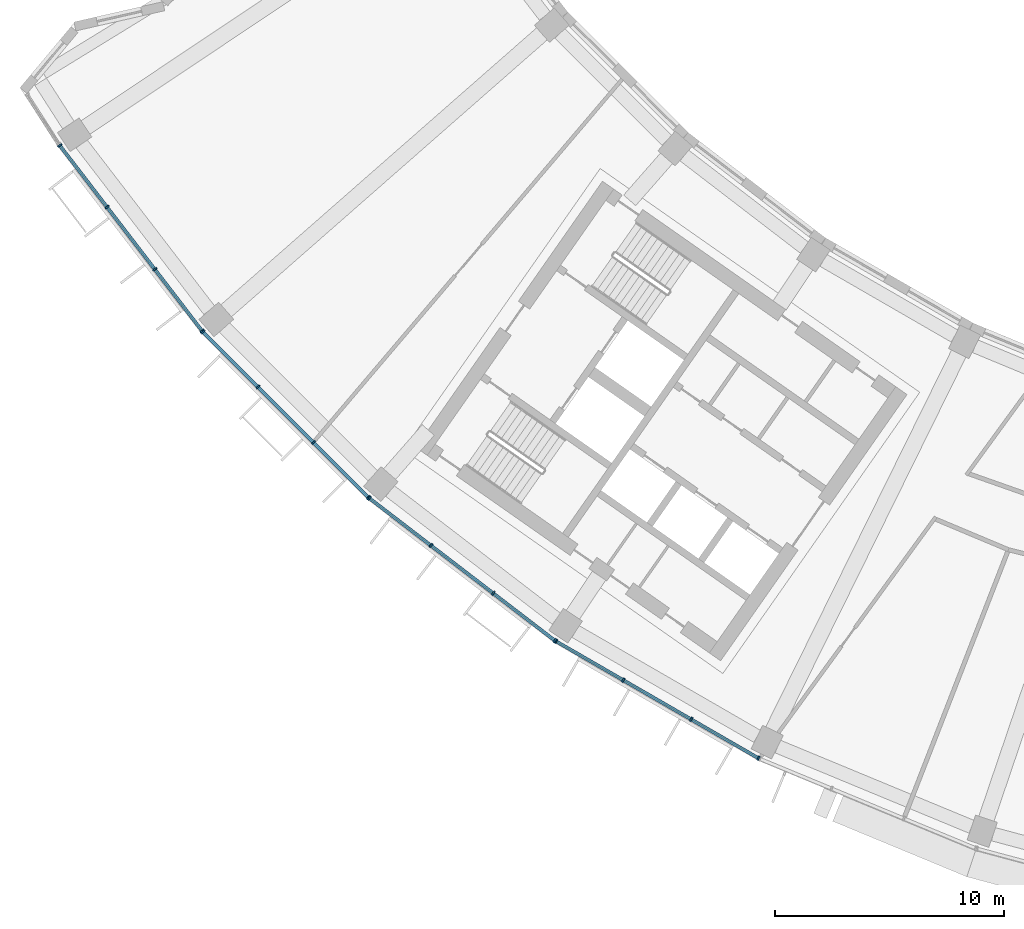
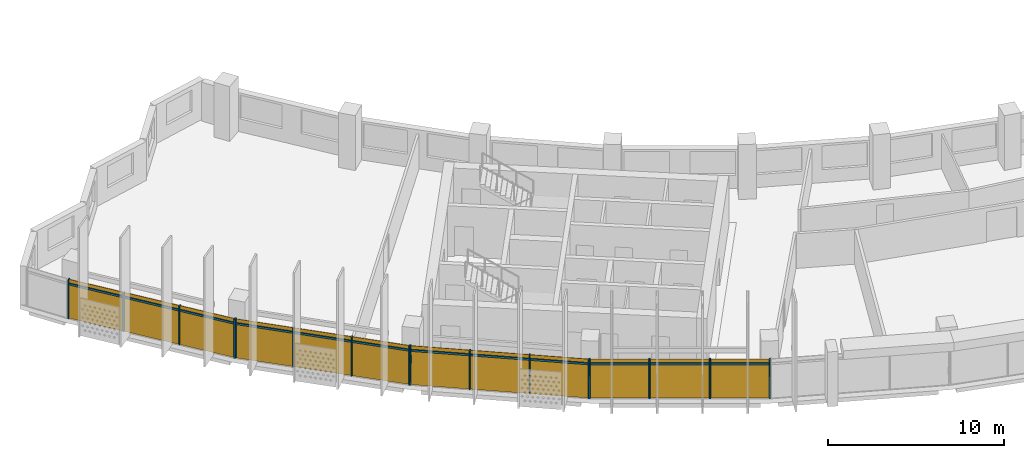
# One storey, part 18 of 28: 28 members, 4 curtain walls.
"""IFC4 building model written with IfcOpenShell, lengths in metres."""

from ifc_helpers import new_model, si_unit, direction, frame, origin, origin_2d, place, context, subcontext, project, spatial, rectangle, extrude, material, material_profile, profile_set, type_object, element, aggregate, save


model = new_model("IFC4")

# Units and contexts
model_context = context("Model", 3, precision=1e-05, world=origin(), true_north=direction((0.0, 1.0)))
body_context = subcontext(model_context, "Body", "Model", "MODEL_VIEW")
ifc_project = project(units=[si_unit("LENGTHUNIT", "METRE"), si_unit("AREAUNIT", "SQUARE_METRE"), si_unit("VOLUMEUNIT", "CUBIC_METRE"), si_unit("PLANEANGLEUNIT", "RADIAN"), si_unit("MASSUNIT", "GRAM", prefix="KILO")], contexts=[model_context])

# Member
ifc_material = material(Name="Aluminium 6063-T6 anodised", Category="aluminium")
ifc_material_profile_1 = material_profile(ifc_material, rectangle(XDim=0.199951171875, YDim=0.070068359375, at=origin_2d()))
ifc_profile_set_1 = profile_set([ifc_material_profile_1], Name="Aluminium 6063-T6 anodised")
member_type_1 = type_object("IfcMemberType", Name="Mullion 70 x 200 aluminium", PredefinedType="MULLION", material=ifc_profile_set_1)
site_placement = place(None, origin())
building_placement = place(site_placement, origin())
storey_placement = place(building_placement, frame((0.0, 0.0, 234.10009765625)))
member_1_placement = place(storey_placement, frame((-65.29443359375, -43.66259765625, 0.0), z_axis=(0.0, 0.0, 1.0), x_axis=(0.793353340291, 0.608761429009, 0.0)))
member_1 = element("IfcMember", 1, at=member_1_placement, type_object=member_type_1, Name="e-cw1-L56-out01/M00", PredefinedType="MULLION", context=body_context, shape_type="SweptSolid", body=[
    extrude(rectangle(XDim=0.199951171875, YDim=0.070068359375, at=origin_2d()), origin(), (0.0, 0.0, 1.0), 2.699951171875),
])

member_2_placement = place(storey_placement, frame((-63.22802734375, -46.35546875, 0.0), z_axis=(0.0, 0.0, 1.0), x_axis=(0.793353340291, 0.608761429009, 0.0)))
member_2 = element("IfcMember", 2, at=member_2_placement, type_object=member_type_1, Name="e-cw1-L56-out01/M01", PredefinedType="MULLION", context=body_context, shape_type="SweptSolid", body=[
    extrude(rectangle(XDim=0.199951171875, YDim=0.070068359375, at=origin_2d()), origin(), (0.0, 0.0, 1.0), 2.699951171875),
])

member_3_placement = place(storey_placement, frame((-61.140380859375, -49.075927734375, 0.0), z_axis=(0.0, 0.0, 1.0), x_axis=(0.793353340291, 0.608761429009, 0.0)))
member_3 = element("IfcMember", 3, at=member_3_placement, type_object=member_type_1, Name="e-cw1-L56-out01/M02", PredefinedType="MULLION", context=body_context, shape_type="SweptSolid", body=[
    extrude(rectangle(XDim=0.199951171875, YDim=0.070068359375, at=origin_2d()), origin(), (0.0, 0.0, 1.0), 2.699951171875),
])

member_4_placement = place(storey_placement, frame((-59.07421875, -51.768798828125, 0.0), z_axis=(0.0, 0.0, 1.0), x_axis=(0.793353340291, 0.608761429009, 0.0)))
member_4 = element("IfcMember", 4, at=member_4_placement, type_object=member_type_1, Name="e-cw1-L56-out01/M03", PredefinedType="MULLION", context=body_context, shape_type="SweptSolid", body=[
    extrude(rectangle(XDim=0.199951171875, YDim=0.070068359375, at=origin_2d()), origin(), (0.0, 0.0, 1.0), 2.699951171875),
])

member_5_placement = place(storey_placement, frame((-59.03662109375, -51.8115234375, 0.0), z_axis=(0.0, 0.0, 1.0), x_axis=(0.707106781187, 0.707106781187, 0.0)))
member_5 = element("IfcMember", 5, at=member_5_placement, type_object=member_type_1, Name="e-cw1-L56-out02/M00", PredefinedType="MULLION", context=body_context, shape_type="SweptSolid", body=[
    extrude(rectangle(XDim=0.199951171875, YDim=0.070068359375, at=origin_2d()), origin(), (0.0, 0.0, 1.0), 2.699951171875),
])

member_6_placement = place(storey_placement, frame((-56.63671875, -54.211669921875, 0.0), z_axis=(0.0, 0.0, 1.0), x_axis=(0.707106781187, 0.707106781187, 0.0)))
member_6 = element("IfcMember", 6, at=member_6_placement, type_object=member_type_1, Name="e-cw1-L56-out02/M01", PredefinedType="MULLION", context=body_context, shape_type="SweptSolid", body=[
    extrude(rectangle(XDim=0.199951171875, YDim=0.070068359375, at=origin_2d()), origin(), (0.0, 0.0, 1.0), 2.699951171875),
])

member_7_placement = place(storey_placement, frame((-54.211669921875, -56.63671875, 0.0), z_axis=(0.0, 0.0, 1.0), x_axis=(0.707106781187, 0.707106781187, 0.0)))
member_7 = element("IfcMember", 7, at=member_7_placement, type_object=member_type_1, Name="e-cw1-L56-out02/M02", PredefinedType="MULLION", context=body_context, shape_type="SweptSolid", body=[
    extrude(rectangle(XDim=0.199951171875, YDim=0.070068359375, at=origin_2d()), origin(), (0.0, 0.0, 1.0), 2.699951171875),
])

member_8_placement = place(storey_placement, frame((-51.8115234375, -59.03662109375, 0.0), z_axis=(0.0, 0.0, 1.0), x_axis=(0.707106781187, 0.707106781187, 0.0)))
member_8 = element("IfcMember", 8, at=member_8_placement, type_object=member_type_1, Name="e-cw1-L56-out02/M03", PredefinedType="MULLION", context=body_context, shape_type="SweptSolid", body=[
    extrude(rectangle(XDim=0.199951171875, YDim=0.070068359375, at=origin_2d()), origin(), (0.0, 0.0, 1.0), 2.699951171875),
])

member_9_placement = place(storey_placement, frame((-51.768798828125, -59.07421875, 0.0), z_axis=(0.0, 0.0, 1.0), x_axis=(0.608761429009, 0.793353340291, 0.0)))
member_9 = element("IfcMember", 9, at=member_9_placement, type_object=member_type_1, Name="e-cw1-L56-out03/M00", PredefinedType="MULLION", context=body_context, shape_type="SweptSolid", body=[
    extrude(rectangle(XDim=0.199951171875, YDim=0.070068359375, at=origin_2d()), origin(), (0.0, 0.0, 1.0), 2.699951171875),
])

member_10_placement = place(storey_placement, frame((-49.075927734375, -61.140380859375, 0.0), z_axis=(0.0, 0.0, 1.0), x_axis=(0.608761429009, 0.793353340291, 0.0)))
member_10 = element("IfcMember", 10, at=member_10_placement, type_object=member_type_1, Name="e-cw1-L56-out03/M01", PredefinedType="MULLION", context=body_context, shape_type="SweptSolid", body=[
    extrude(rectangle(XDim=0.199951171875, YDim=0.070068359375, at=origin_2d()), origin(), (0.0, 0.0, 1.0), 2.699951171875),
])

member_11_placement = place(storey_placement, frame((-46.35546875, -63.22802734375, 0.0), z_axis=(0.0, 0.0, 1.0), x_axis=(0.608761429009, 0.793353340291, 0.0)))
member_11 = element("IfcMember", 11, at=member_11_placement, type_object=member_type_1, Name="e-cw1-L56-out03/M02", PredefinedType="MULLION", context=body_context, shape_type="SweptSolid", body=[
    extrude(rectangle(XDim=0.199951171875, YDim=0.070068359375, at=origin_2d()), origin(), (0.0, 0.0, 1.0), 2.699951171875),
])

member_12_placement = place(storey_placement, frame((-43.66259765625, -65.29443359375, 0.0), z_axis=(0.0, 0.0, 1.0), x_axis=(0.608761429009, 0.793353340291, 0.0)))
member_12 = element("IfcMember", 12, at=member_12_placement, type_object=member_type_1, Name="e-cw1-L56-out03/M03", PredefinedType="MULLION", context=body_context, shape_type="SweptSolid", body=[
    extrude(rectangle(XDim=0.199951171875, YDim=0.070068359375, at=origin_2d()), origin(), (0.0, 0.0, 1.0), 2.699951171875),
])

member_13_placement = place(storey_placement, frame((-43.615234375, -65.325927734375, 0.0), z_axis=(0.0, 0.0, 1.0), x_axis=(0.5, 0.866025403784, 0.0)))
member_13 = element("IfcMember", 13, at=member_13_placement, type_object=member_type_1, Name="e-cw1-L56-out04/M00", PredefinedType="MULLION", context=body_context, shape_type="SweptSolid", body=[
    extrude(rectangle(XDim=0.199951171875, YDim=0.070068359375, at=origin_2d()), origin(), (0.0, 0.0, 1.0), 2.699951171875),
])

member_14_placement = place(storey_placement, frame((-40.67578125, -67.023193359375, 0.0), z_axis=(0.0, 0.0, 1.0), x_axis=(0.5, 0.866025403784, 0.0)))
member_14 = element("IfcMember", 14, at=member_14_placement, type_object=member_type_1, Name="e-cw1-L56-out04/M01", PredefinedType="MULLION", context=body_context, shape_type="SweptSolid", body=[
    extrude(rectangle(XDim=0.199951171875, YDim=0.070068359375, at=origin_2d()), origin(), (0.0, 0.0, 1.0), 2.699951171875),
])

member_15_placement = place(storey_placement, frame((-37.705810546875, -68.73779296875, 0.0), z_axis=(0.0, 0.0, 1.0), x_axis=(0.5, 0.866025403784, 0.0)))
member_15 = element("IfcMember", 15, at=member_15_placement, type_object=member_type_1, Name="e-cw1-L56-out04/M02", PredefinedType="MULLION", context=body_context, shape_type="SweptSolid", body=[
    extrude(rectangle(XDim=0.199951171875, YDim=0.070068359375, at=origin_2d()), origin(), (0.0, 0.0, 1.0), 2.699951171875),
])

member_16_placement = place(storey_placement, frame((-34.766357421875, -70.43505859375, 0.0), z_axis=(0.0, 0.0, 1.0), x_axis=(0.5, 0.866025403784, 0.0)))
member_16 = element("IfcMember", 16, at=member_16_placement, type_object=member_type_1, Name="e-cw1-L56-out04/M03", PredefinedType="MULLION", context=body_context, shape_type="SweptSolid", body=[
    extrude(rectangle(XDim=0.199951171875, YDim=0.070068359375, at=origin_2d()), origin(), (0.0, 0.0, 1.0), 2.699951171875),
])

ifc_material_profile_2 = material_profile(ifc_material, rectangle(XDim=0.139892578125, YDim=0.1201171875, at=origin_2d()))
ifc_profile_set_2 = profile_set([ifc_material_profile_2], Name="Aluminium 6063-T6 anodised")
member_type_2 = type_object("IfcMemberType", Name="Transom 120 x 140 aluminium", PredefinedType="USERDEFINED", material=ifc_profile_set_2)
member_17_placement = place(storey_placement, frame((-65.273193359375, -43.690185546875, 2.39990234375), z_axis=(0.608741393132, -0.793368713958, 0.0), x_axis=(0.793368713958, 0.608741393132, 0.0)))
member_17 = element("IfcMember", 17, at=member_17_placement, type_object=member_type_2, Name="e-cw1-L56-out01/T00", ObjectType="TRANSOM", PredefinedType="USERDEFINED", context=body_context, shape_type="SweptSolid", body=[
    extrude(rectangle(XDim=0.139892578125, YDim=0.1201171875, at=origin_2d()), origin(), (0.0, 0.0, 1.0), 3.324462890625),
])

member_18_placement = place(storey_placement, frame((-63.206787109375, -46.383056640625, 2.39990234375), z_axis=(0.608719861247, -0.793385234627, 0.0), x_axis=(0.793385234627, 0.608719861247, 0.0)))
member_18 = element("IfcMember", 18, at=member_18_placement, type_object=member_type_2, Name="e-cw1-L56-out01/T01", ObjectType="TRANSOM", PredefinedType="USERDEFINED", context=body_context, shape_type="SweptSolid", body=[
    extrude(rectangle(XDim=0.139892578125, YDim=0.1201171875, at=origin_2d()), origin(), (0.0, 0.0, 1.0), 3.359375),
])

member_19_placement = place(storey_placement, frame((-61.119140625, -49.103759765625, 2.39990234375), z_axis=(0.608741393132, -0.793368713958, 0.0), x_axis=(0.793368713958, 0.608741393132, 0.0)))
member_19 = element("IfcMember", 19, at=member_19_placement, type_object=member_type_2, Name="e-cw1-L56-out01/T02", ObjectType="TRANSOM", PredefinedType="USERDEFINED", context=body_context, shape_type="SweptSolid", body=[
    extrude(rectangle(XDim=0.139892578125, YDim=0.1201171875, at=origin_2d()), origin(), (0.0, 0.0, 1.0), 3.324462890625),
])

member_20_placement = place(storey_placement, frame((-59.011962890625, -51.83642578125, 2.39990234375), z_axis=(0.707106781187, -0.707106781187, 0.0), x_axis=(0.707106781187, 0.707106781187, 0.0)))
member_20 = element("IfcMember", 20, at=member_20_placement, type_object=member_type_2, Name="e-cw1-L56-out02/T00", ObjectType="TRANSOM", PredefinedType="USERDEFINED", context=body_context, shape_type="SweptSolid", body=[
    extrude(rectangle(XDim=0.139892578125, YDim=0.1201171875, at=origin_2d()), origin(), (0.0, 0.0, 1.0), 3.32421875),
])

member_21_placement = place(storey_placement, frame((-56.61181640625, -54.236572265625, 2.39990234375), z_axis=(0.707106781187, -0.707106781187, 0.0), x_axis=(0.707106781187, 0.707106781187, 0.0)))
member_21 = element("IfcMember", 21, at=member_21_placement, type_object=member_type_2, Name="e-cw1-L56-out02/T01", ObjectType="TRANSOM", PredefinedType="USERDEFINED", context=body_context, shape_type="SweptSolid", body=[
    extrude(rectangle(XDim=0.139892578125, YDim=0.1201171875, at=origin_2d()), origin(), (0.0, 0.0, 1.0), 3.359130859375),
])

member_22_placement = place(storey_placement, frame((-54.18701171875, -56.661376953125, 2.39990234375), z_axis=(0.707106781187, -0.707106781187, 0.0), x_axis=(0.707106781187, 0.707106781187, 0.0)))
member_22 = element("IfcMember", 22, at=member_22_placement, type_object=member_type_2, Name="e-cw1-L56-out02/T02", ObjectType="TRANSOM", PredefinedType="USERDEFINED", context=body_context, shape_type="SweptSolid", body=[
    extrude(rectangle(XDim=0.139892578125, YDim=0.1201171875, at=origin_2d()), origin(), (0.0, 0.0, 1.0), 3.32421875),
])

member_23_placement = place(storey_placement, frame((-51.7412109375, -59.095458984375, 2.39990234375), z_axis=(0.793368713958, -0.608741393132, 0.0), x_axis=(0.608741393132, 0.793368713958, 0.0)))
member_23 = element("IfcMember", 23, at=member_23_placement, type_object=member_type_2, Name="e-cw1-L56-out03/T00", ObjectType="TRANSOM", PredefinedType="USERDEFINED", context=body_context, shape_type="SweptSolid", body=[
    extrude(rectangle(XDim=0.139892578125, YDim=0.1201171875, at=origin_2d()), origin(), (0.0, 0.0, 1.0), 3.324462890625),
])

member_24_placement = place(storey_placement, frame((-49.04833984375, -61.161865234375, 2.39990234375), z_axis=(0.793385234627, -0.608719861247, 0.0), x_axis=(0.608719861247, 0.793385234627, 0.0)))
member_24 = element("IfcMember", 24, at=member_24_placement, type_object=member_type_2, Name="e-cw1-L56-out03/T01", ObjectType="TRANSOM", PredefinedType="USERDEFINED", context=body_context, shape_type="SweptSolid", body=[
    extrude(rectangle(XDim=0.139892578125, YDim=0.1201171875, at=origin_2d()), origin(), (0.0, 0.0, 1.0), 3.359375),
])

member_25_placement = place(storey_placement, frame((-46.32763671875, -63.24951171875, 2.39990234375), z_axis=(0.793368713958, -0.608741393132, 0.0), x_axis=(0.608741393132, 0.793368713958, 0.0)))
member_25 = element("IfcMember", 25, at=member_25_placement, type_object=member_type_2, Name="e-cw1-L56-out03/T02", ObjectType="TRANSOM", PredefinedType="USERDEFINED", context=body_context, shape_type="SweptSolid", body=[
    extrude(rectangle(XDim=0.139892578125, YDim=0.1201171875, at=origin_2d()), origin(), (0.0, 0.0, 1.0), 3.324462890625),
])

member_26_placement = place(storey_placement, frame((-43.5849609375, -65.343505859375, 2.39990234375), z_axis=(0.866029041019, -0.499993700073, 0.0), x_axis=(0.499993700073, 0.866029041019, 0.0)))
member_26 = element("IfcMember", 26, at=member_26_placement, type_object=member_type_2, Name="e-cw1-L56-out04/T00", ObjectType="TRANSOM", PredefinedType="USERDEFINED", context=body_context, shape_type="SweptSolid", body=[
    extrude(rectangle(XDim=0.139892578125, YDim=0.1201171875, at=origin_2d()), origin(), (0.0, 0.0, 1.0), 3.32421875),
])

member_27_placement = place(storey_placement, frame((-40.6455078125, -67.04052734375, 2.39990234375), z_axis=(0.866034314054, -0.499984566643, 0.0), x_axis=(0.499984566643, 0.866034314054, 0.0)))
member_27 = element("IfcMember", 27, at=member_27_placement, type_object=member_type_2, Name="e-cw1-L56-out04/T01", ObjectType="TRANSOM", PredefinedType="USERDEFINED", context=body_context, shape_type="SweptSolid", body=[
    extrude(rectangle(XDim=0.139892578125, YDim=0.1201171875, at=origin_2d()), origin(), (0.0, 0.0, 1.0), 3.359375),
])

member_28_placement = place(storey_placement, frame((-37.675537109375, -68.75537109375, 2.39990234375), z_axis=(0.866029041019, -0.499993700073, 0.0), x_axis=(0.499993700073, 0.866029041019, 0.0)))
member_28 = element("IfcMember", 28, at=member_28_placement, type_object=member_type_2, Name="e-cw1-L56-out04/T02", ObjectType="TRANSOM", PredefinedType="USERDEFINED", context=body_context, shape_type="SweptSolid", body=[
    extrude(rectangle(XDim=0.139892578125, YDim=0.1201171875, at=origin_2d()), origin(), (0.0, 0.0, 1.0), 3.32421875),
])

# Site, building, storey
site = spatial("IfcSite", under=ifc_project, at=site_placement, CompositionType="ELEMENT")
building = spatial("IfcBuilding", under=site, at=building_placement, Name="Qamariyya Broadcast Tower", CompositionType="ELEMENT")
storey = spatial("IfcBuildingStorey", under=building, at=storey_placement, Name="L56", CompositionType="ELEMENT", Elevation=234.10009765625)

# Curtain wall
curtain_wall_type = type_object("IfcCurtainWallType", Name="Unitised curtain wall, anodised aluminium", PredefinedType="NOTDEFINED", material=ifc_material)
curtain_wall_1_placement = place(storey_placement, origin())
curtain_wall_1 = element("IfcCurtainWall", 29, at=curtain_wall_1_placement, inside=storey, type_object=curtain_wall_type, Name="e-cw1-L56-out01", PredefinedType="NOTDEFINED", context=body_context, shape_type="SweptSolid", body=[
    extrude(rectangle(XDim=3.32421875, YDim=0.031982421875, at=origin_2d()), frame((-64.26123046875, -45.009033203125, 0.0), x_axis=(0.608753833159, -0.793359168734, 0.0)), (0.0, 0.0, 1.0), 2.340087890625),
    extrude(rectangle(XDim=3.32421875, YDim=0.031982421875, at=origin_2d()), frame((-64.26123046875, -45.009033203125, 2.4599609375), x_axis=(0.608753833159, -0.793359168734, 0.0)), (0.0, 0.0, 1.0), 0.239990234375),
    extrude(rectangle(XDim=3.359130859375, YDim=0.031982421875, at=origin_2d()), frame((-62.184326171875, -47.7158203125, 0.0), x_axis=(0.608753833159, -0.793359168734, 0.0)), (0.0, 0.0, 1.0), 2.340087890625),
    extrude(rectangle(XDim=3.359130859375, YDim=0.031982421875, at=origin_2d()), frame((-62.184326171875, -47.7158203125, 2.4599609375), x_axis=(0.608753833159, -0.793359168734, 0.0)), (0.0, 0.0, 1.0), 0.239990234375),
    extrude(rectangle(XDim=3.32421875, YDim=0.031982421875, at=origin_2d()), frame((-60.107421875, -50.42236328125, 0.0), x_axis=(0.608753833159, -0.793359168734, 0.0)), (0.0, 0.0, 1.0), 2.340087890625),
    extrude(rectangle(XDim=3.32421875, YDim=0.031982421875, at=origin_2d()), frame((-60.107421875, -50.42236328125, 2.4599609375), x_axis=(0.608753833159, -0.793359168734, 0.0)), (0.0, 0.0, 1.0), 0.239990234375),
])

aggregate(curtain_wall_1, [member_1, member_2, member_3, member_4, member_17, member_18, member_19])

curtain_wall_2_placement = place(storey_placement, origin())
curtain_wall_2 = element("IfcCurtainWall", 30, at=curtain_wall_2_placement, inside=storey, type_object=curtain_wall_type, Name="e-cw1-L56-out02", PredefinedType="NOTDEFINED", context=body_context, shape_type="SweptSolid", body=[
    extrude(rectangle(XDim=3.32421875, YDim=0.031982421875, at=origin_2d()), frame((-57.836669921875, -53.01171875, 0.0), x_axis=(0.707106781187, -0.707106781187, 0.0)), (0.0, 0.0, 1.0), 2.340087890625),
    extrude(rectangle(XDim=3.32421875, YDim=0.031982421875, at=origin_2d()), frame((-57.836669921875, -53.01171875, 2.4599609375), x_axis=(0.707106781187, -0.707106781187, 0.0)), (0.0, 0.0, 1.0), 0.239990234375),
    extrude(rectangle(XDim=3.359375, YDim=0.031982421875, at=origin_2d()), frame((-55.42431640625, -55.42431640625, 0.0), x_axis=(0.707106781187, -0.707106781187, 0.0)), (0.0, 0.0, 1.0), 2.340087890625),
    extrude(rectangle(XDim=3.359375, YDim=0.031982421875, at=origin_2d()), frame((-55.42431640625, -55.42431640625, 2.4599609375), x_axis=(0.707106781187, -0.707106781187, 0.0)), (0.0, 0.0, 1.0), 0.239990234375),
    extrude(rectangle(XDim=3.32421875, YDim=0.031982421875, at=origin_2d()), frame((-53.01171875, -57.836669921875, 0.0), x_axis=(0.707106781187, -0.707106781187, 0.0)), (0.0, 0.0, 1.0), 2.340087890625),
    extrude(rectangle(XDim=3.32421875, YDim=0.031982421875, at=origin_2d()), frame((-53.01171875, -57.836669921875, 2.4599609375), x_axis=(0.707106781187, -0.707106781187, 0.0)), (0.0, 0.0, 1.0), 0.239990234375),
])

aggregate(curtain_wall_2, [member_5, member_6, member_7, member_8, member_20, member_21, member_22])

curtain_wall_3_placement = place(storey_placement, origin())
curtain_wall_3 = element("IfcCurtainWall", 31, at=curtain_wall_3_placement, inside=storey, type_object=curtain_wall_type, Name="e-cw1-L56-out03", PredefinedType="NOTDEFINED", context=body_context, shape_type="SweptSolid", body=[
    extrude(rectangle(XDim=3.32421875, YDim=0.031982421875, at=origin_2d()), frame((-50.42236328125, -60.107421875, 0.0), x_axis=(0.793359168734, -0.608753833159, 0.0)), (0.0, 0.0, 1.0), 2.340087890625),
    extrude(rectangle(XDim=3.32421875, YDim=0.031982421875, at=origin_2d()), frame((-50.42236328125, -60.107421875, 2.4599609375), x_axis=(0.793359168734, -0.608753833159, 0.0)), (0.0, 0.0, 1.0), 0.239990234375),
    extrude(rectangle(XDim=3.359130859375, YDim=0.031982421875, at=origin_2d()), frame((-47.7158203125, -62.184326171875, 0.0), x_axis=(0.793359168734, -0.608753833159, 0.0)), (0.0, 0.0, 1.0), 2.340087890625),
    extrude(rectangle(XDim=3.359130859375, YDim=0.031982421875, at=origin_2d()), frame((-47.7158203125, -62.184326171875, 2.4599609375), x_axis=(0.793359168734, -0.608753833159, 0.0)), (0.0, 0.0, 1.0), 0.239990234375),
    extrude(rectangle(XDim=3.32421875, YDim=0.031982421875, at=origin_2d()), frame((-45.009033203125, -64.26123046875, 0.0), x_axis=(0.793359168734, -0.608753833159, 0.0)), (0.0, 0.0, 1.0), 2.340087890625),
    extrude(rectangle(XDim=3.32421875, YDim=0.031982421875, at=origin_2d()), frame((-45.009033203125, -64.26123046875, 2.4599609375), x_axis=(0.793359168734, -0.608753833159, 0.0)), (0.0, 0.0, 1.0), 0.239990234375),
])

aggregate(curtain_wall_3, [member_9, member_10, member_11, member_12, member_23, member_24, member_25])

curtain_wall_4_placement = place(storey_placement, origin())
curtain_wall_4 = element("IfcCurtainWall", 32, at=curtain_wall_4_placement, inside=storey, type_object=curtain_wall_type, Name="e-cw1-L56-out04", PredefinedType="NOTDEFINED", context=body_context, shape_type="SweptSolid", body=[
    extrude(rectangle(XDim=3.32421875, YDim=0.031982421875, at=origin_2d()), frame((-42.1455078125, -66.174560546875, 0.0), x_axis=(0.866027904674, -0.499995668308, 0.0)), (0.0, 0.0, 1.0), 2.340087890625),
    extrude(rectangle(XDim=3.32421875, YDim=0.031982421875, at=origin_2d()), frame((-42.1455078125, -66.174560546875, 2.4599609375), x_axis=(0.866027904674, -0.499995668308, 0.0)), (0.0, 0.0, 1.0), 0.239990234375),
    extrude(rectangle(XDim=3.359130859375, YDim=0.031982421875, at=origin_2d()), frame((-39.19091796875, -67.88037109375, 0.0), x_axis=(0.866027904674, -0.499995668308, 0.0)), (0.0, 0.0, 1.0), 2.340087890625),
    extrude(rectangle(XDim=3.359130859375, YDim=0.031982421875, at=origin_2d()), frame((-39.19091796875, -67.88037109375, 2.4599609375), x_axis=(0.866027904674, -0.499995668308, 0.0)), (0.0, 0.0, 1.0), 0.239990234375),
    extrude(rectangle(XDim=3.32421875, YDim=0.031982421875, at=origin_2d()), frame((-36.236083984375, -69.58642578125, 0.0), x_axis=(0.866027904674, -0.499995668308, 0.0)), (0.0, 0.0, 1.0), 2.340087890625),
    extrude(rectangle(XDim=3.32421875, YDim=0.031982421875, at=origin_2d()), frame((-36.236083984375, -69.58642578125, 2.4599609375), x_axis=(0.866027904674, -0.499995668308, 0.0)), (0.0, 0.0, 1.0), 0.239990234375),
])

aggregate(curtain_wall_4, [member_13, member_14, member_15, member_16, member_26, member_27, member_28])

save(model, "model.ifc")
